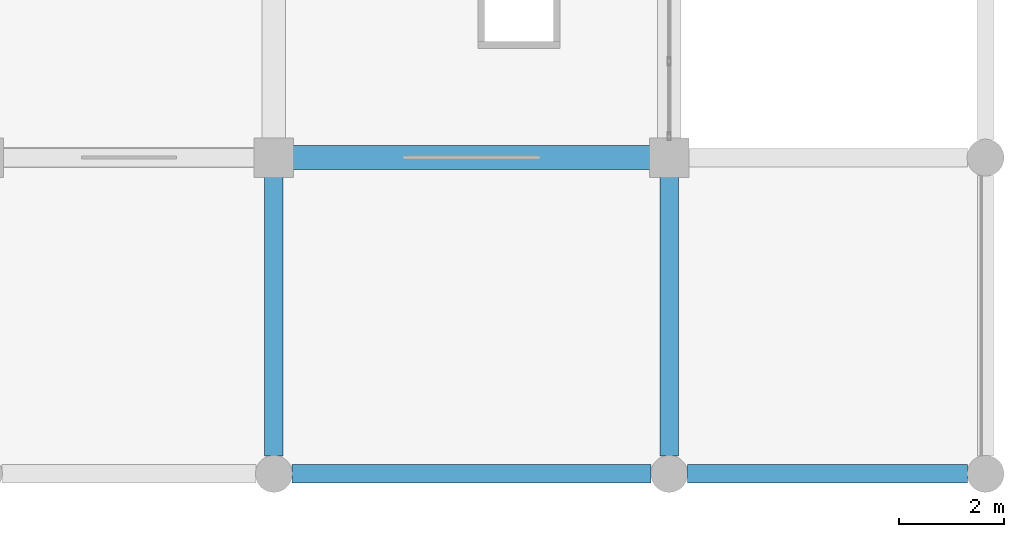
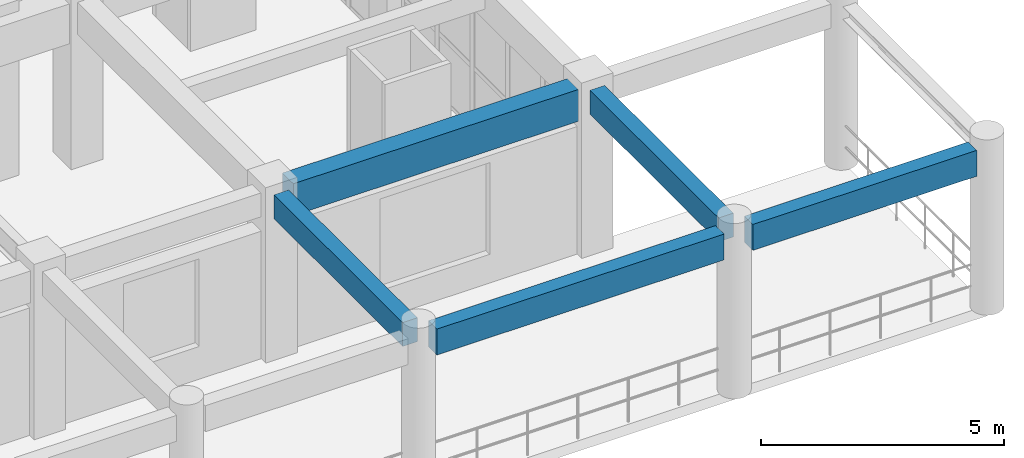
# One storey, part 54 of 116: 5 beams.
"""IFC4 building model written with IfcOpenShell, lengths in metres."""

import ifcopenshell
import ifcopenshell.guid

model = None  # the IFC model being written
_history = None  # IfcOwnerHistory: only IFC2X3 demands one
_inside = {}  # id of a spatial element -> (the spatial element, [elements in it])
_under = {}  # id of a project, library or spatial element -> (it, [spatial elements below it])
_declared = {}  # id of a project -> (the project, [libraries it declares])
_typed = {}  # id of a type object -> (the type object, [elements of that type])
_made_of = {}  # id of a material, layer set ... -> (it, [elements and type objects made of it])


def new_model(schema):
    """Start an empty IFC model of exactly this schema.

    Asked for "IFC4X3", IfcOpenShell would pick the latest addendum, in which some entities
    have other attributes; the version numbers below select the first issue.
    IFC2X3 requires an IfcOwnerHistory on every rooted entity: one is made here for all.
    """
    global model, _history
    if schema == "IFC4X3":
        model = ifcopenshell.file(schema_version=(4, 3, 0, 0))
    else:
        model = ifcopenshell.file(schema=schema)
    _inside.clear()
    _under.clear()
    _declared.clear()
    _typed.clear()
    _made_of.clear()
    _history = None
    if model.schema == "IFC2X3":
        org = make("IfcOrganization", Name="unknown")
        user = make(
            "IfcPersonAndOrganization",
            ThePerson=make("IfcPerson", FamilyName="unknown"),
            TheOrganization=org,
        )
        app = make(
            "IfcApplication",
            ApplicationDeveloper=org,
            Version="unknown",
            ApplicationFullName="unknown",
            ApplicationIdentifier="unknown",
        )
        _history = make(
            "IfcOwnerHistory",
            OwningUser=user,
            OwningApplication=app,
            ChangeAction="ADDED",
            CreationDate=0,
        )
    return model


def make(cls, **values):
    """One entity of the class cls with the attributes given. An attribute that is None is left unset."""
    return model.create_entity(
        cls, **{name: value for name, value in values.items() if value is not None}
    )


def rooted(cls, **values):
    """An entity with a GlobalId (a new one), such as an element, a storey or a relation."""
    return make(cls, GlobalId=ifcopenshell.guid.new(), OwnerHistory=_history, **values)


def si_unit(unit_type, name, prefix=None):
    """IfcSIUnit, for example si_unit("LENGTHUNIT", "METRE", prefix="MILLI")."""
    return make("IfcSIUnit", UnitType=unit_type, Prefix=prefix, Name=name)


def assignment(units):
    """IfcUnitAssignment: the units of a project."""
    return None if units is None else make("IfcUnitAssignment", Units=units)


def point(xyz):
    """IfcCartesianPoint."""
    return None if xyz is None else make("IfcCartesianPoint", Coordinates=xyz)


def direction(xyz):
    """IfcDirection."""
    return None if xyz is None else make("IfcDirection", DirectionRatios=xyz)


def frame(location, z_axis=None, x_axis=None):
    """IfcAxis2Placement3D, a coordinate frame: its origin and axes. An axis left out is left unset."""
    return make(
        "IfcAxis2Placement3D",
        Location=point(location),
        Axis=direction(z_axis),
        RefDirection=direction(x_axis),
    )


def frame_2d(location, x_axis=None):
    """IfcAxis2Placement2D, a coordinate frame in the plane: its origin and x axis."""
    return make(
        "IfcAxis2Placement2D", Location=point(location), RefDirection=direction(x_axis)
    )


def origin():
    """The frame at (0, 0, 0) with its axes left unset."""
    return frame((0.0, 0.0, 0.0))


def origin_2d():
    """The frame at (0, 0) in the plane with its x axis left unset."""
    return frame_2d((0.0, 0.0))


def place(relative_to, where):
    """IfcLocalPlacement: puts the frame where relative to a parent placement (None: the world)."""
    return make(
        "IfcLocalPlacement", PlacementRelTo=relative_to, RelativePlacement=where
    )


def context(
    kind, dimensions, precision=None, world=None, true_north=None, identifier=None
):
    """IfcGeometricRepresentationContext, for example the 3D "Model" context."""
    return make(
        "IfcGeometricRepresentationContext",
        ContextIdentifier=identifier,
        ContextType=kind,
        CoordinateSpaceDimension=dimensions,
        Precision=precision,
        WorldCoordinateSystem=world,
        TrueNorth=true_north,
    )


def subcontext(parent, identifier, kind, view, scale=None):
    """IfcGeometricRepresentationSubContext, for example "Body" below "Model"."""
    return make(
        "IfcGeometricRepresentationSubContext",
        ContextIdentifier=identifier,
        ContextType=kind,
        ParentContext=parent,
        TargetScale=scale,
        TargetView=view,
    )


def project(units=None, contexts=None):
    """IfcProject with its units and contexts."""
    return rooted(
        "IfcProject",
        Name="project",
        RepresentationContexts=contexts,
        UnitsInContext=assignment(units),
    )


def spatial(cls, under=None, at=None, **own):
    """A site, building, storey or space (cls), placed at a placement, below another one or the project."""
    s = rooted(cls, ObjectPlacement=at, **own)
    if under is not None:
        _under.setdefault(under.id(), (under, []))[1].append(s)
    return s


def profile(cls, at=None, kind="AREA", **sizes):
    """A parametric profile (cls). Its sizes go by their IFC names, for example OverallWidth=200.0."""
    return make(cls, ProfileType=kind, Position=at, **sizes)


def rectangle(**sizes):
    """IfcRectangleProfileDef."""
    return profile("IfcRectangleProfileDef", **sizes)


def extrude(swept, where, along, depth):
    """IfcExtrudedAreaSolid: the profile swept, set in the frame where, extruded along a direction by depth."""
    return make(
        "IfcExtrudedAreaSolid",
        SweptArea=swept,
        Position=where,
        ExtrudedDirection=direction(along),
        Depth=depth,
    )


def shape(context_of_items, identifier, shape_type, items):
    """IfcShapeRepresentation: the items that make up one representation, for example the "Body"."""
    return make(
        "IfcShapeRepresentation",
        ContextOfItems=context_of_items,
        RepresentationIdentifier=identifier,
        RepresentationType=shape_type,
        Items=items,
    )


def material(Name=None, Category=None):
    """IfcMaterial."""
    return make("IfcMaterial", Name=Name, Category=Category)


def material_profile(
    of_material, cross_section, Name=None, Category=None, Priority=None
):
    """IfcMaterialProfile: a cross section and its material."""
    return make(
        "IfcMaterialProfile",
        Name=Name,
        Material=of_material,
        Profile=cross_section,
        Priority=Priority,
        Category=Category,
    )


def profile_set(profiles, Name=None, composite=None):
    """IfcMaterialProfileSet."""
    return make(
        "IfcMaterialProfileSet",
        Name=Name,
        MaterialProfiles=profiles,
        CompositeProfile=composite,
    )


def made_of(thing, what):
    """Note that an element or type object is made of a material, layer set ...; save() writes the relation."""
    if what is not None:
        _made_of.setdefault(what.id(), (what, []))[1].append(thing)
    return thing


def type_object(cls, material=None, **own):
    """A type object (cls), such as IfcWallType, which elements share."""
    return made_of(rooted(cls, **own), material)


def element(
    cls,
    number,
    at=None,
    inside=None,
    cuts=None,
    type_object=None,
    material=None,
    context=None,
    identifier="Body",
    shape_type=None,
    held_by="IfcProductDefinitionShape",
    body=None,
    shapes=None,
    **own,
):
    """One element of the class cls, such as IfcWall. Its Tag is "e" and its number.

    at: its placement. inside: the storey or other place that contains it. cuts: it is an
    opening in that element (IfcRelVoidsElement). A single representation is given by context,
    identifier, shape_type and body (its items); several are given by shapes. held_by: the class
    of the entity that holds the representations. save() writes the other relations.
    """
    e = rooted(cls, Tag="e%d" % number, ObjectPlacement=at, **own)
    if body is not None:
        shapes = [shape(context, identifier, shape_type, body)]
    if shapes is not None:
        e.Representation = make(held_by, Representations=shapes)
    if inside is not None:
        _inside.setdefault(inside.id(), (inside, []))[1].append(e)
    if cuts is not None:
        rooted(
            "IfcRelVoidsElement", RelatingBuildingElement=cuts, RelatedOpeningElement=e
        )
    if type_object is not None:
        _typed.setdefault(type_object.id(), (type_object, []))[1].append(e)
    return made_of(e, material)


def aggregate(whole, parts):
    """IfcRelAggregates: a whole, such as a stair, and the parts it consists of."""
    return rooted("IfcRelAggregates", RelatingObject=whole, RelatedObjects=parts)


def save(model, path):
    """Write the relations noted so far, then the file.

    IfcRelAggregates (storeys below a building ...), IfcRelContainedInSpatialStructure (elements
    in a storey), IfcRelDefinesByType, IfcRelAssociatesMaterial and IfcRelDeclares: one each for
    every whole, place, type object, material and project.
    """
    for whole, parts in _under.values():
        aggregate(whole, parts)
    for where, things in _inside.values():
        rooted(
            "IfcRelContainedInSpatialStructure",
            RelatedElements=things,
            RelatingStructure=where,
        )
    for kind, things in _typed.values():
        rooted("IfcRelDefinesByType", RelatedObjects=things, RelatingType=kind)
    for what, things in _made_of.values():
        rooted("IfcRelAssociatesMaterial", RelatedObjects=things, RelatingMaterial=what)
    for by, libraries in _declared.values():
        rooted("IfcRelDeclares", RelatingContext=by, RelatedDefinitions=libraries)
    model.write(path)


model = new_model("IFC4")

# Units and contexts
model_context = context("Model", 3, precision=1e-05, world=origin(), true_north=direction((0.0, 1.0)))
body_context = subcontext(model_context, "Body", "Model", "MODEL_VIEW")
ifc_project = project(units=[si_unit("LENGTHUNIT", "METRE"), si_unit("AREAUNIT", "SQUARE_METRE"), si_unit("VOLUMEUNIT", "CUBIC_METRE"), si_unit("PLANEANGLEUNIT", "RADIAN"), si_unit("MASSUNIT", "GRAM", prefix="KILO")], contexts=[model_context])

# Site, building, storey
site_placement = place(None, origin())
site = spatial("IfcSite", under=ifc_project, at=site_placement, CompositionType="ELEMENT")
building_placement = place(site_placement, origin())
building = spatial("IfcBuilding", under=site, at=building_placement, Name="Muzn Square Opera House", CompositionType="ELEMENT")
storey_placement = place(building_placement, frame((0.0, 0.0, 5.39990234375)))
storey = spatial("IfcBuildingStorey", under=building, at=storey_placement, Name="L01", CompositionType="ELEMENT", Elevation=5.39990234375)

# Beams
ifc_material = material(Name="Concrete C40/50", Category="concrete")
ifc_material_profile_1 = material_profile(ifc_material, rectangle(XDim=0.35009765625, YDim=0.60009765625, at=origin_2d()), Name="RCB 350x600", Category="concrete")
ifc_profile_set_1 = profile_set([ifc_material_profile_1], Name="Concrete C40/50")
beam_type_1 = type_object("IfcBeamType", Name="Primary Girder 350x600", PredefinedType="BEAM", material=ifc_profile_set_1)
for number, where, z_axis, x_axis, name in (
    (1, (162.5, 0.342041015625, 3.85009765625), (0.0, 1.0, 0.0), (-1.0, 0.0, 0.0), "Primary Girder BM-L01-BM-PG600-1625_3_1625_56-1750"),
    (2, (170.0, 0.342041015625, 3.85009765625), (0.0, 1.0, 0.0), (-1.0, 0.0, 0.0), "Primary Girder BM-L01-BM-PG600-1700_3_1700_56-1765"),
):
    element("IfcBeam", number, at=place(storey_placement, frame(where, z_axis=z_axis, x_axis=x_axis)), inside=storey, type_object=beam_type_1, Name=name, PredefinedType="BEAM", context=body_context, shape_type="SweptSolid", body=[
        extrude(rectangle(XDim=0.35009765625, YDim=0.60009765625, at=origin_2d()), origin(), (0.0, 0.0, 1.0), 5.291015625),
    ])
ifc_material_profile_2 = material_profile(ifc_material, rectangle(XDim=0.449951171875, YDim=0.800048828125, at=origin_2d()), Name="RCB 450x800", Category="concrete")
ifc_profile_set_2 = profile_set([ifc_material_profile_2], Name="Concrete C40/50")
beam_type_2 = type_object("IfcBeamType", Name="Primary Girder 450x800", PredefinedType="BEAM", material=ifc_profile_set_2)
beam_1_placement = place(storey_placement, frame((162.866943359375, 6.0, 3.75), z_axis=(1.0, 0.0, 0.0), x_axis=(0.0, 1.0, 0.0)))
element("IfcBeam", 3, at=beam_1_placement, inside=storey, type_object=beam_type_2, Name="Primary Girder BM-L01-BM-PG800-1629_60_1696_60-1261", PredefinedType="BEAM", context=body_context, shape_type="SweptSolid", body=[
    extrude(rectangle(XDim=0.449951171875, YDim=0.800048828125, at=origin_2d()), origin(), (0.0, 0.0, 1.0), 6.76611328125),
])
ifc_material_profile_3 = material_profile(ifc_material, rectangle(XDim=0.35009765625, YDim=0.64990234375, at=origin_2d()), Name="RCS 350x650", Category="concrete")
ifc_profile_set_3 = profile_set([ifc_material_profile_3], Name="Concrete C40/50")
beam_type_3 = type_object("IfcBeamType", Name="Spandrel Beam 350x650", PredefinedType="SPANDREL", material=ifc_profile_set_3)
beam_2_placement = place(storey_placement, frame((162.842041015625, 0.0, 3.795166015625), z_axis=(1.0, 0.0, 0.0), x_axis=(0.0, 1.0, 0.0)))
element("IfcBeam", 4, at=beam_2_placement, inside=storey, type_object=beam_type_3, Name="Spandrel Beam BM-L01-BM-SP650-1628_0_1697_0-1247", PredefinedType="SPANDREL", context=body_context, shape_type="SweptSolid", body=[
    extrude(rectangle(XDim=0.35009765625, YDim=0.64990234375, at=origin_2d()), origin(), (0.0, 0.0, 1.0), 6.81591796875),
])
beam_3_placement = place(storey_placement, frame((170.342041015625, 0.0, 3.795166015625), z_axis=(1.0, 0.0, 0.0), x_axis=(0.0, 1.0, 0.0)))
element("IfcBeam", 5, at=beam_3_placement, inside=storey, type_object=beam_type_3, Name="Spandrel Beam BM-L01-BM-SP650-1703_0_1757_0-1248", PredefinedType="SPANDREL", context=body_context, shape_type="SweptSolid", body=[
    extrude(rectangle(XDim=0.35009765625, YDim=0.64990234375, at=origin_2d()), origin(), (0.0, 0.0, 1.0), 5.31591796875),
])

save(model, "model.ifc")
